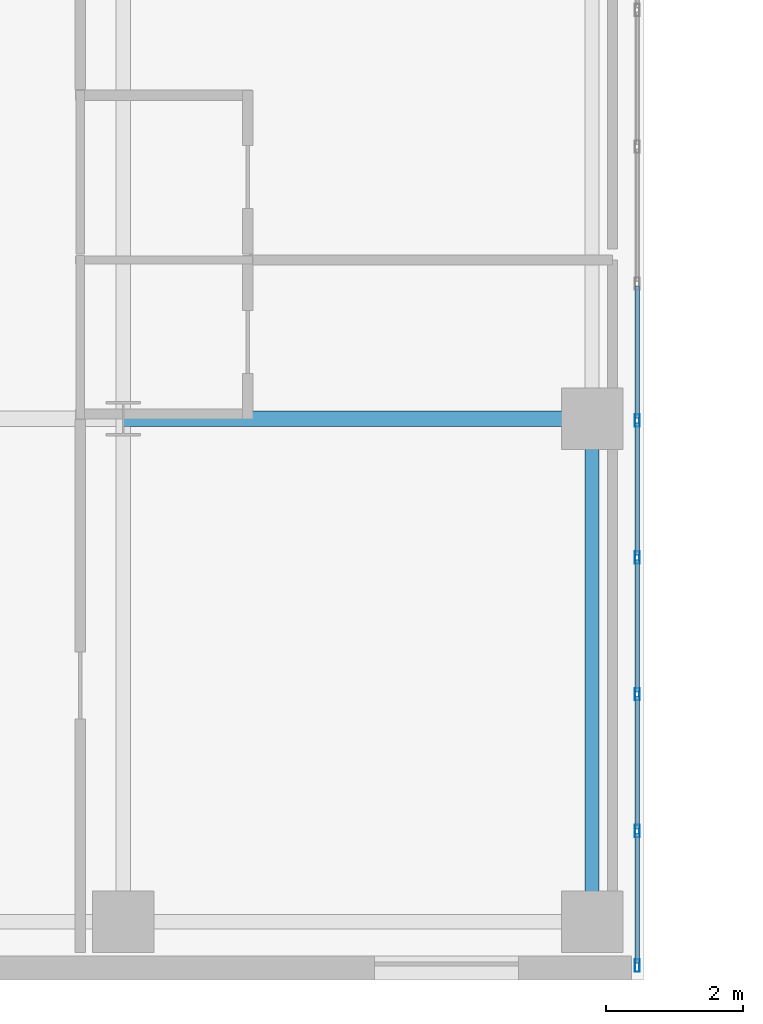
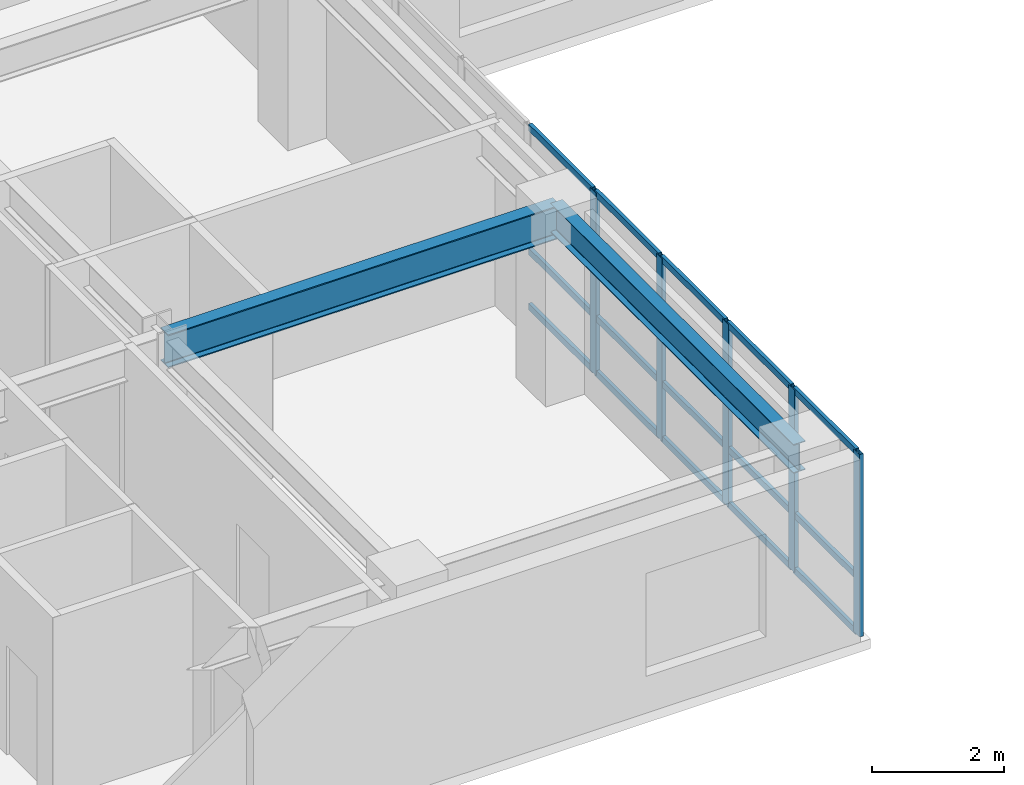
# One storey, part 2 of 17: 20 members, 2 beams, 1 element without a shape of its own.
"""IFC4 building model written with IfcOpenShell, lengths in metres."""

from ifc_helpers import new_model, si_unit, direction, frame, origin, origin_2d, place, context, subcontext, project, spatial, hollow_rectangle, i_section, extrude, source, transform, mapped, material, layer, layer_set, material_profile, profile_set, type_object, type_shapes, element, aggregate, save


model = new_model("IFC4")

# Units and contexts
model_context = context("Model", 3, precision=1e-05, world=origin(), true_north=direction((0.0, 1.0)))
body_context = subcontext(model_context, "Body", "Model", "MODEL_VIEW")
ifc_project = project(units=[si_unit("LENGTHUNIT", "METRE"), si_unit("AREAUNIT", "SQUARE_METRE"), si_unit("VOLUMEUNIT", "CUBIC_METRE"), si_unit("PLANEANGLEUNIT", "RADIAN"), si_unit("MASSUNIT", "GRAM", prefix="KILO")], contexts=[model_context])

# Site, building, storey
site_placement = place(None, origin())
site = spatial("IfcSite", under=ifc_project, at=site_placement, CompositionType="ELEMENT")
building_placement = place(site_placement, origin())
building = spatial("IfcBuilding", under=site, at=building_placement, Name="Tolvann Quenvar Hotel", CompositionType="ELEMENT")
storey_placement = place(building_placement, frame((0.0, 0.0, 108.0)))
storey = spatial("IfcBuildingStorey", under=building, at=storey_placement, Name="L27", CompositionType="ELEMENT", Elevation=108.0)

# Beams
ifc_material_1 = material(Name="Steel Grade 350", Category="steel")
ifc_material_profile_1 = material_profile(ifc_material_1, i_section(OverallWidth=0.22900390625, OverallDepth=0.612060546875, WebThickness=0.011962890625, FlangeThickness=0.01953125, FilletRadius=0.013916015625, at=origin_2d()), Name="610UB125")
ifc_profile_set_1 = profile_set([ifc_material_profile_1], Name="Steel Grade 350")
beam_type_1 = type_object("IfcBeamType", Name="BM_GIRD_610UB125", PredefinedType="BEAM", material=ifc_profile_set_1)
shared_shape_1 = source(origin(), body_context, "Body", "SweptSolid", [
    extrude(i_section(OverallWidth=0.22900390625, OverallDepth=0.612060546875, WebThickness=0.011962890625, FlangeThickness=0.01953125, FilletRadius=0.013916015625, at=origin_2d()), origin(), (0.0, 0.0, 1.0), 6.85009765625),
])
type_shapes(beam_type_1, [shared_shape_1])
beam_1_placement = place(storey_placement, frame((15.199951171875, 8.199951171875, 3.06396484375), z_axis=(1.0, 0.0, 0.0), x_axis=(0.0, 1.0, 0.0)))
element("IfcBeam", 1, at=beam_1_placement, inside=storey, type_object=beam_type_1, Name="BM-L27-EW-3-D3-E3", PredefinedType="BEAM", context=body_context, shape_type="MappedRepresentation", body=[
    mapped(shared_shape_1, transform((0.0, 0.0, 0.0), x_axis=(1.0, 0.0, 0.0), y_axis=(0.0, 1.0, 0.0), z_axis=(0.0, 0.0, 1.0), scale=1.0)),
])
ifc_material_profile_2 = material_profile(ifc_material_1, i_section(OverallWidth=0.208984375, OverallDepth=0.532958984375, WebThickness=0.01025390625, FlangeThickness=0.015625, FilletRadius=0.013916015625, at=origin_2d()), Name="530UB92")
ifc_profile_set_2 = profile_set([ifc_material_profile_2], Name="Steel Grade 350")
beam_type_2 = type_object("IfcBeamType", Name="BM_GIRD_530UB92", PredefinedType="BEAM", material=ifc_profile_set_2)
shared_shape_2 = source(origin(), body_context, "Body", "SweptSolid", [
    extrude(i_section(OverallWidth=0.208984375, OverallDepth=0.532958984375, WebThickness=0.01025390625, FlangeThickness=0.015625, FilletRadius=0.013916015625, at=origin_2d()), origin(), (0.0, 0.0, 1.0), 7.349853515625),
])
type_shapes(beam_type_2, [shared_shape_2])
beam_2_placement = place(storey_placement, frame((22.050048828125, 0.85009765625, 3.103515625), z_axis=(0.0, 1.0, 0.0), x_axis=(-1.0, 0.0, 0.0)))
element("IfcBeam", 2, at=beam_2_placement, inside=storey, type_object=beam_type_2, Name="BM-L27-NS-E2-E3", PredefinedType="BEAM", context=body_context, shape_type="MappedRepresentation", body=[
    mapped(shared_shape_2, transform((0.0, 0.0, 0.0), x_axis=(1.0, 0.0, 0.0), y_axis=(0.0, 1.0, 0.0), z_axis=(0.0, 0.0, 1.0), scale=1.0)),
])

# Curtain wall, members
ifc_material_2 = material(Name="Thermally broken anodised architectural aluminium 6063-T6 and laminated low-E glass", Category="aluminium")
ifc_layer = layer(ifc_material_2, 0.179931640625)
ifc_layer_set = layer_set([ifc_layer], Name="Thermally broken anodised architectural aluminium 6063-T6 and laminated low-E glass")
curtain_wall_type = type_object("IfcCurtainWallType", Name="CW_SYS_SLOT_03", PredefinedType="USERDEFINED", material=ifc_layer_set)
curtain_wall_placement = place(storey_placement, origin())
curtain_wall = element("IfcCurtainWall", 3, at=curtain_wall_placement, inside=storey, type_object=curtain_wall_type, Name="Curtain Wall CW-SLOT-03 (CWR-L27-E05)", ObjectType="UNITISED CURTAIN WALL", PredefinedType="USERDEFINED")
ifc_material_3 = material(Name="Anodised architectural aluminium 6063-T6 framing", Category="aluminium")
ifc_material_profile_3 = material_profile(ifc_material_3, hollow_rectangle(XDim=0.070068359375, YDim=0.179931640625, WallThickness=0.00390625, at=origin_2d()), Name="180x70x4RHS")
ifc_profile_set_3 = profile_set([ifc_material_profile_3], Name="Anodised architectural aluminium 6063-T6 framing")
member_type_1 = type_object("IfcMemberType", Name="CW_MULL_180x70", PredefinedType="MULLION", material=ifc_profile_set_3)
shared_shape_3 = source(origin(), body_context, "Body", "SweptSolid", [
    extrude(hollow_rectangle(XDim=0.070068359375, YDim=0.179931640625, WallThickness=0.00390625, at=origin_2d()), origin(), (0.0, 0.0, 1.0), 3.3701171875),
])
type_shapes(member_type_1, [shared_shape_3])
member_1_placement = place(storey_placement, frame((22.7099609375, 0.2099609375, 0.0), z_axis=(0.0, 0.0, 1.0), x_axis=(-1.0, 0.0, 0.0)))
member_1 = element("IfcMember", 4, at=member_1_placement, type_object=member_type_1, Name="CW-SLOT-03 mullion 1", PredefinedType="MULLION", context=body_context, shape_type="MappedRepresentation", body=[
    mapped(shared_shape_3, transform((0.0, 0.0, 0.0), x_axis=(1.0, 0.0, 0.0), y_axis=(0.0, 1.0, 0.0), z_axis=(0.0, 0.0, 1.0), scale=1.0)),
])
member_2_placement = place(storey_placement, frame((22.7099609375, 2.175048828125, 0.0), z_axis=(0.0, 0.0, 1.0), x_axis=(-1.0, 0.0, 0.0)))
member_2 = element("IfcMember", 5, at=member_2_placement, type_object=member_type_1, Name="CW-SLOT-03 mullion 2", PredefinedType="MULLION", context=body_context, shape_type="MappedRepresentation", body=[
    mapped(shared_shape_3, transform((0.0, 0.0, 0.0), x_axis=(1.0, 0.0, 0.0), y_axis=(0.0, 1.0, 0.0), z_axis=(0.0, 0.0, 1.0), scale=1.0)),
])
member_3_placement = place(storey_placement, frame((22.7099609375, 4.175048828125, 0.0), z_axis=(0.0, 0.0, 1.0), x_axis=(-1.0, 0.0, 0.0)))
member_3 = element("IfcMember", 6, at=member_3_placement, type_object=member_type_1, Name="CW-SLOT-03 mullion 3", PredefinedType="MULLION", context=body_context, shape_type="MappedRepresentation", body=[
    mapped(shared_shape_3, transform((0.0, 0.0, 0.0), x_axis=(1.0, 0.0, 0.0), y_axis=(0.0, 1.0, 0.0), z_axis=(0.0, 0.0, 1.0), scale=1.0)),
])
member_4_placement = place(storey_placement, frame((22.7099609375, 6.175048828125, 0.0), z_axis=(0.0, 0.0, 1.0), x_axis=(-1.0, 0.0, 0.0)))
member_4 = element("IfcMember", 7, at=member_4_placement, type_object=member_type_1, Name="CW-SLOT-03 mullion 4", PredefinedType="MULLION", context=body_context, shape_type="MappedRepresentation", body=[
    mapped(shared_shape_3, transform((0.0, 0.0, 0.0), x_axis=(1.0, 0.0, 0.0), y_axis=(0.0, 1.0, 0.0), z_axis=(0.0, 0.0, 1.0), scale=1.0)),
])
member_5_placement = place(storey_placement, frame((22.7099609375, 8.175048828125, 0.0), z_axis=(0.0, 0.0, 1.0), x_axis=(-1.0, 0.0, 0.0)))
member_5 = element("IfcMember", 8, at=member_5_placement, type_object=member_type_1, Name="CW-SLOT-03 mullion 5", PredefinedType="MULLION", context=body_context, shape_type="MappedRepresentation", body=[
    mapped(shared_shape_3, transform((0.0, 0.0, 0.0), x_axis=(1.0, 0.0, 0.0), y_axis=(0.0, 1.0, 0.0), z_axis=(0.0, 0.0, 1.0), scale=1.0)),
])
ifc_material_profile_4 = material_profile(ifc_material_3, hollow_rectangle(XDim=0.06005859375, YDim=0.1201171875, WallThickness=0.00341796875, at=origin_2d()), Name="120x60x3.5RHS")
ifc_profile_set_4 = profile_set([ifc_material_profile_4], Name="Anodised architectural aluminium 6063-T6 framing")
member_type_2 = type_object("IfcMemberType", Name="CW_TRAN_120x60", PredefinedType="USERDEFINED", material=ifc_profile_set_4)
shared_shape_4 = source(origin(), body_context, "Body", "SweptSolid", [
    extrude(hollow_rectangle(XDim=0.06005859375, YDim=0.1201171875, WallThickness=0.00341796875, at=origin_2d()), origin(), (0.0, 0.0, 1.0), 1.894775390625),
])
member_6_placement = place(storey_placement, frame((22.7099609375, 0.2451171875, 0.030029296875), z_axis=(0.0, 1.0, 0.0), x_axis=(-1.0, 0.0, 0.0)))
member_6 = element("IfcMember", 9, at=member_6_placement, type_object=member_type_2, Name="CW-SLOT-03 transom 1.1", ObjectType="TRANSOM", PredefinedType="USERDEFINED", context=body_context, shape_type="MappedRepresentation", body=[
    mapped(shared_shape_4, transform((0.0, 0.0, 0.0), x_axis=(1.0, 0.0, 0.0), y_axis=(0.0, 1.0, 0.0), z_axis=(0.0, 0.0, 1.0), scale=1.0)),
])
member_7_placement = place(storey_placement, frame((22.7099609375, 0.2451171875, 1.050048828125), z_axis=(0.0, 1.0, 0.0), x_axis=(-1.0, 0.0, 0.0)))
member_7 = element("IfcMember", 10, at=member_7_placement, type_object=member_type_2, Name="CW-SLOT-03 transom 1.2", ObjectType="TRANSOM", PredefinedType="USERDEFINED", context=body_context, shape_type="MappedRepresentation", body=[
    mapped(shared_shape_4, transform((0.0, 0.0, 0.0), x_axis=(1.0, 0.0, 0.0), y_axis=(0.0, 1.0, 0.0), z_axis=(0.0, 0.0, 1.0), scale=1.0)),
])
member_8_placement = place(storey_placement, frame((22.7099609375, 0.2451171875, 3.340087890625), z_axis=(0.0, 1.0, 0.0), x_axis=(-1.0, 0.0, 0.0)))
member_8 = element("IfcMember", 11, at=member_8_placement, type_object=member_type_2, Name="CW-SLOT-03 transom 1.3", ObjectType="TRANSOM", PredefinedType="USERDEFINED", context=body_context, shape_type="MappedRepresentation", body=[
    mapped(shared_shape_4, transform((0.0, 0.0, 0.0), x_axis=(1.0, 0.0, 0.0), y_axis=(0.0, 1.0, 0.0), z_axis=(0.0, 0.0, 1.0), scale=1.0)),
])
shared_shape_5 = source(origin(), body_context, "Body", "SweptSolid", [
    extrude(hollow_rectangle(XDim=0.06005859375, YDim=0.1201171875, WallThickness=0.00341796875, at=origin_2d()), origin(), (0.0, 0.0, 1.0), 1.929931640625),
])
type_shapes(member_type_2, [shared_shape_4, shared_shape_5])
member_9_placement = place(storey_placement, frame((22.7099609375, 2.2099609375, 0.030029296875), z_axis=(0.0, 1.0, 0.0), x_axis=(-1.0, 0.0, 0.0)))
member_9 = element("IfcMember", 12, at=member_9_placement, type_object=member_type_2, Name="CW-SLOT-03 transom 2.1", ObjectType="TRANSOM", PredefinedType="USERDEFINED", context=body_context, shape_type="MappedRepresentation", body=[
    mapped(shared_shape_5, transform((0.0, 0.0, 0.0), x_axis=(1.0, 0.0, 0.0), y_axis=(0.0, 1.0, 0.0), z_axis=(0.0, 0.0, 1.0), scale=1.0)),
])
member_10_placement = place(storey_placement, frame((22.7099609375, 2.2099609375, 1.050048828125), z_axis=(0.0, 1.0, 0.0), x_axis=(-1.0, 0.0, 0.0)))
member_10 = element("IfcMember", 13, at=member_10_placement, type_object=member_type_2, Name="CW-SLOT-03 transom 2.2", ObjectType="TRANSOM", PredefinedType="USERDEFINED", context=body_context, shape_type="MappedRepresentation", body=[
    mapped(shared_shape_5, transform((0.0, 0.0, 0.0), x_axis=(1.0, 0.0, 0.0), y_axis=(0.0, 1.0, 0.0), z_axis=(0.0, 0.0, 1.0), scale=1.0)),
])
member_11_placement = place(storey_placement, frame((22.7099609375, 2.2099609375, 3.340087890625), z_axis=(0.0, 1.0, 0.0), x_axis=(-1.0, 0.0, 0.0)))
member_11 = element("IfcMember", 14, at=member_11_placement, type_object=member_type_2, Name="CW-SLOT-03 transom 2.3", ObjectType="TRANSOM", PredefinedType="USERDEFINED", context=body_context, shape_type="MappedRepresentation", body=[
    mapped(shared_shape_5, transform((0.0, 0.0, 0.0), x_axis=(1.0, 0.0, 0.0), y_axis=(0.0, 1.0, 0.0), z_axis=(0.0, 0.0, 1.0), scale=1.0)),
])
member_12_placement = place(storey_placement, frame((22.7099609375, 4.2099609375, 0.030029296875), z_axis=(0.0, 1.0, 0.0), x_axis=(-1.0, 0.0, 0.0)))
member_12 = element("IfcMember", 15, at=member_12_placement, type_object=member_type_2, Name="CW-SLOT-03 transom 3.1", ObjectType="TRANSOM", PredefinedType="USERDEFINED", context=body_context, shape_type="MappedRepresentation", body=[
    mapped(shared_shape_5, transform((0.0, 0.0, 0.0), x_axis=(1.0, 0.0, 0.0), y_axis=(0.0, 1.0, 0.0), z_axis=(0.0, 0.0, 1.0), scale=1.0)),
])
member_13_placement = place(storey_placement, frame((22.7099609375, 4.2099609375, 1.050048828125), z_axis=(0.0, 1.0, 0.0), x_axis=(-1.0, 0.0, 0.0)))
member_13 = element("IfcMember", 16, at=member_13_placement, type_object=member_type_2, Name="CW-SLOT-03 transom 3.2", ObjectType="TRANSOM", PredefinedType="USERDEFINED", context=body_context, shape_type="MappedRepresentation", body=[
    mapped(shared_shape_5, transform((0.0, 0.0, 0.0), x_axis=(1.0, 0.0, 0.0), y_axis=(0.0, 1.0, 0.0), z_axis=(0.0, 0.0, 1.0), scale=1.0)),
])
member_14_placement = place(storey_placement, frame((22.7099609375, 4.2099609375, 3.340087890625), z_axis=(0.0, 1.0, 0.0), x_axis=(-1.0, 0.0, 0.0)))
member_14 = element("IfcMember", 17, at=member_14_placement, type_object=member_type_2, Name="CW-SLOT-03 transom 3.3", ObjectType="TRANSOM", PredefinedType="USERDEFINED", context=body_context, shape_type="MappedRepresentation", body=[
    mapped(shared_shape_5, transform((0.0, 0.0, 0.0), x_axis=(1.0, 0.0, 0.0), y_axis=(0.0, 1.0, 0.0), z_axis=(0.0, 0.0, 1.0), scale=1.0)),
])
member_15_placement = place(storey_placement, frame((22.7099609375, 6.2099609375, 0.030029296875), z_axis=(0.0, 1.0, 0.0), x_axis=(-1.0, 0.0, 0.0)))
member_15 = element("IfcMember", 18, at=member_15_placement, type_object=member_type_2, Name="CW-SLOT-03 transom 4.1", ObjectType="TRANSOM", PredefinedType="USERDEFINED", context=body_context, shape_type="MappedRepresentation", body=[
    mapped(shared_shape_5, transform((0.0, 0.0, 0.0), x_axis=(1.0, 0.0, 0.0), y_axis=(0.0, 1.0, 0.0), z_axis=(0.0, 0.0, 1.0), scale=1.0)),
])
member_16_placement = place(storey_placement, frame((22.7099609375, 6.2099609375, 1.050048828125), z_axis=(0.0, 1.0, 0.0), x_axis=(-1.0, 0.0, 0.0)))
member_16 = element("IfcMember", 19, at=member_16_placement, type_object=member_type_2, Name="CW-SLOT-03 transom 4.2", ObjectType="TRANSOM", PredefinedType="USERDEFINED", context=body_context, shape_type="MappedRepresentation", body=[
    mapped(shared_shape_5, transform((0.0, 0.0, 0.0), x_axis=(1.0, 0.0, 0.0), y_axis=(0.0, 1.0, 0.0), z_axis=(0.0, 0.0, 1.0), scale=1.0)),
])
member_17_placement = place(storey_placement, frame((22.7099609375, 6.2099609375, 3.340087890625), z_axis=(0.0, 1.0, 0.0), x_axis=(-1.0, 0.0, 0.0)))
member_17 = element("IfcMember", 20, at=member_17_placement, type_object=member_type_2, Name="CW-SLOT-03 transom 4.3", ObjectType="TRANSOM", PredefinedType="USERDEFINED", context=body_context, shape_type="MappedRepresentation", body=[
    mapped(shared_shape_5, transform((0.0, 0.0, 0.0), x_axis=(1.0, 0.0, 0.0), y_axis=(0.0, 1.0, 0.0), z_axis=(0.0, 0.0, 1.0), scale=1.0)),
])
member_18_placement = place(storey_placement, frame((22.7099609375, 8.2099609375, 0.030029296875), z_axis=(0.0, 1.0, 0.0), x_axis=(-1.0, 0.0, 0.0)))
member_18 = element("IfcMember", 21, at=member_18_placement, type_object=member_type_2, Name="CW-SLOT-03 transom 5.1", ObjectType="TRANSOM", PredefinedType="USERDEFINED", context=body_context, shape_type="MappedRepresentation", body=[
    mapped(shared_shape_5, transform((0.0, 0.0, 0.0), x_axis=(1.0, 0.0, 0.0), y_axis=(0.0, 1.0, 0.0), z_axis=(0.0, 0.0, 1.0), scale=1.0)),
])
member_19_placement = place(storey_placement, frame((22.7099609375, 8.2099609375, 1.050048828125), z_axis=(0.0, 1.0, 0.0), x_axis=(-1.0, 0.0, 0.0)))
member_19 = element("IfcMember", 22, at=member_19_placement, type_object=member_type_2, Name="CW-SLOT-03 transom 5.2", ObjectType="TRANSOM", PredefinedType="USERDEFINED", context=body_context, shape_type="MappedRepresentation", body=[
    mapped(shared_shape_5, transform((0.0, 0.0, 0.0), x_axis=(1.0, 0.0, 0.0), y_axis=(0.0, 1.0, 0.0), z_axis=(0.0, 0.0, 1.0), scale=1.0)),
])
member_20_placement = place(storey_placement, frame((22.7099609375, 8.2099609375, 3.340087890625), z_axis=(0.0, 1.0, 0.0), x_axis=(-1.0, 0.0, 0.0)))
member_20 = element("IfcMember", 23, at=member_20_placement, type_object=member_type_2, Name="CW-SLOT-03 transom 5.3", ObjectType="TRANSOM", PredefinedType="USERDEFINED", context=body_context, shape_type="MappedRepresentation", body=[
    mapped(shared_shape_5, transform((0.0, 0.0, 0.0), x_axis=(1.0, 0.0, 0.0), y_axis=(0.0, 1.0, 0.0), z_axis=(0.0, 0.0, 1.0), scale=1.0)),
])
aggregate(curtain_wall, [member_1, member_2, member_3, member_4, member_5, member_6, member_7, member_8, member_9, member_10, member_11, member_12, member_13, member_14, member_15, member_16, member_17, member_18, member_19, member_20])

save(model, "model.ifc")
